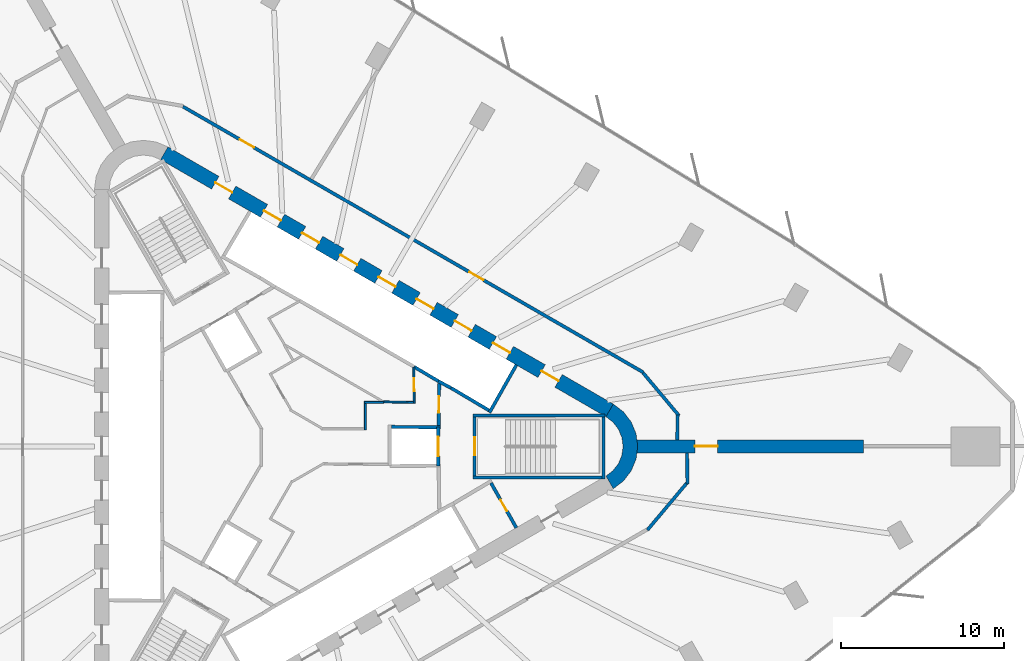
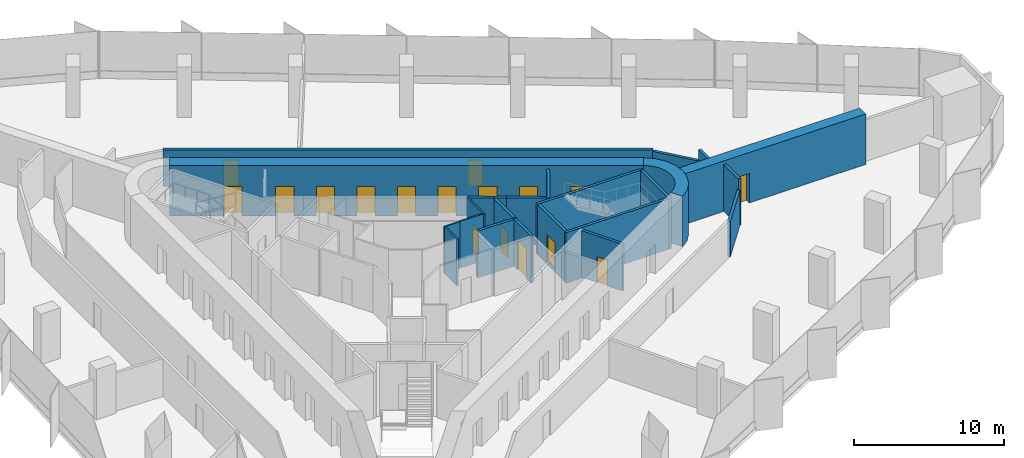
# One storey, part 11 of 13: 24 walls, 17 doors, 17 openings.
"""IFC4 building model written with IfcOpenShell, lengths in metres."""

from ifc_helpers import new_model, si_unit, direction, frame, frame_2d, origin, place, context, subcontext, project, spatial, polyline, rectangle, outline, extrude, material, layer, layer_set, type_object, element, fill, save


model = new_model("IFC4")

# Units and contexts
model_context = context("Model", 3, precision=1e-05, world=origin(), true_north=direction((0.0, 1.0)))
body_context = subcontext(model_context, "Body", "Model", "MODEL_VIEW")
ifc_project = project(units=[si_unit("LENGTHUNIT", "METRE"), si_unit("AREAUNIT", "SQUARE_METRE"), si_unit("VOLUMEUNIT", "CUBIC_METRE"), si_unit("PLANEANGLEUNIT", "RADIAN"), si_unit("MASSUNIT", "GRAM", prefix="KILO")], contexts=[model_context])

# Site, building, storey
site_placement = place(None, origin())
site = spatial("IfcSite", under=ifc_project, at=site_placement, CompositionType="ELEMENT")
building_placement = place(site_placement, origin())
building = spatial("IfcBuilding", under=site, at=building_placement, Name="Tanit Gate Tower", CompositionType="ELEMENT")
storey_placement = place(building_placement, frame((0.0, 0.0, 66.0)))
storey = spatial("IfcBuildingStorey", under=building, at=storey_placement, Name="L12", CompositionType="ELEMENT", Elevation=66.0)

# Wall, opening, door
ifc_material_1 = material(Name="Concrete C60/75", Category="concrete")
ifc_layer_1 = layer(ifc_material_1, 0.800048828125)
ifc_layer_set_1 = layer_set([ifc_layer_1], Name="BUTTRESS FIN 800 C60/75")
wall_type_1 = type_object("IfcWallType", Name="BUTTRESS FIN 800 C60/75", PredefinedType="SHEAR", material=ifc_layer_set_1)
wall_1_placement = place(storey_placement, frame((21.14990234375, 0.0, 0.0), z_axis=(0.0, 0.0, 1.0), x_axis=(1.0, 0.0, 0.0)))
wall_1 = element("IfcWall", 1, at=wall_1_placement, inside=storey, type_object=wall_type_1, Name="BUTTRESS FIN", PredefinedType="SHEAR", context=body_context, shape_type="SweptSolid", body=[
    extrude(rectangle(XDim=13.884033203125, YDim=0.800048828125, at=frame_2d((6.94189453125, 0.0))), origin(), (0.0, 0.0, 1.0), 4.10009765625),
])
opening_1_placement = place(wall_1_placement, frame((3.550048828125, 0.0, 0.0)))
opening_1 = element("IfcOpeningElement", 2, at=opening_1_placement, cuts=wall_1, Name="Opening P14-S01-F-E-1", PredefinedType="OPENING", context=body_context, shape_type="SweptSolid", body=[
    extrude(rectangle(XDim=1.39990234375, YDim=2.39990234375, at=frame_2d((0.699951171875, 1.199951171875))), frame((0.0, 0.41015625, 0.0), z_axis=(0.0, -1.0, 0.0), x_axis=(1.0, 0.0, 0.0)), (0.0, 0.0, 1.0), 0.820068359375),
])
ifc_material_2 = material(Name="Timber door leaf", Category="wood")
door_type_1 = type_object("IfcDoorType", Name="INT-DOOR-FIN-PAIR-1400", OperationType="NOTDEFINED", PredefinedType="NOTDEFINED", material=ifc_material_2)
door_1_placement = place(opening_1_placement, origin())
door_1 = element("IfcDoor", 3, at=door_1_placement, inside=storey, type_object=door_type_1, Name="Door P14-S01-F-E-1", OperationType="DOUBLE_DOOR_SINGLE_SWING", OverallHeight=2.39990234375, OverallWidth=1.39990234375, PredefinedType="NOTDEFINED", context=body_context, shape_type="SweptSolid", body=[
    extrude(rectangle(XDim=1.39990234375, YDim=2.39990234375, at=frame_2d((0.699951171875, 1.199951171875))), frame((0.0, 0.02490234375, 0.0), z_axis=(0.0, -1.0, 0.0), x_axis=(1.0, 0.0, 0.0)), (0.0, 0.0, 1.0), 0.050048828125),
])
fill(opening_1, door_1)

# Wall, openings, doors
ifc_material_3 = material(Name="Concrete C60/75", Category="concrete")
ifc_layer_2 = layer(ifc_material_3, 0.89990234375)
ifc_layer_set_2 = layer_set([ifc_layer_2], Name="CORE WALL 900 C60/75")
wall_type_2 = type_object("IfcWallType", Name="CORE WALL 900 C60/75", PredefinedType="SHEAR", material=ifc_layer_set_2)
wall_2_placement = place(storey_placement, frame((19.47509765625, 2.20849609375, 0.0), z_axis=(0.0, 0.0, 1.0), x_axis=(-0.866028369851, 0.499994862586, 0.0)))
wall_2 = element("IfcWall", 4, at=wall_2_placement, inside=storey, type_object=wall_type_2, Name="CORE WALL", PredefinedType="SHEAR", context=body_context, shape_type="SweptSolid", body=[
    extrude(rectangle(XDim=31.523193359375, YDim=0.89990234375, at=frame_2d((15.76171875, 0.0))), origin(), (0.0, 0.0, 1.0), 4.10009765625),
])
opening_2_placement = place(wall_2_placement, frame((7.0615234375, 0.0, 0.0)))
opening_2 = element("IfcOpeningElement", 5, at=opening_2_placement, cuts=wall_2, Name="Opening LDLL8-S01", PredefinedType="OPENING", context=body_context, shape_type="SweptSolid", body=[
    extrude(rectangle(XDim=1.199951171875, YDim=2.39990234375, at=frame_2d((0.60009765625, 1.199951171875))), frame((0.0, 0.4599609375, 0.0), z_axis=(0.0, -1.0, 0.0), x_axis=(1.0, 0.0, 0.0)), (0.0, 0.0, 1.0), 0.919921875),
])
opening_3_placement = place(wall_2_placement, frame((9.76171875, 0.0, 0.0)))
opening_3 = element("IfcOpeningElement", 6, at=opening_3_placement, cuts=wall_2, Name="Opening LDLL9-S01", PredefinedType="OPENING", context=body_context, shape_type="SweptSolid", body=[
    extrude(rectangle(XDim=1.199951171875, YDim=2.39990234375, at=frame_2d((0.60009765625, 1.199951171875))), frame((0.0, 0.4599609375, 0.0), z_axis=(0.0, -1.0, 0.0), x_axis=(1.0, 0.0, 0.0)), (0.0, 0.0, 1.0), 0.919921875),
])
opening_4_placement = place(wall_2_placement, frame((12.461669921875, 0.0, 0.0)))
opening_4 = element("IfcOpeningElement", 7, at=opening_4_placement, cuts=wall_2, Name="Opening LDLL10-S01", PredefinedType="OPENING", context=body_context, shape_type="SweptSolid", body=[
    extrude(rectangle(XDim=1.199951171875, YDim=2.39990234375, at=frame_2d((0.60009765625, 1.199951171875))), frame((0.0, 0.4599609375, 0.0), z_axis=(0.0, -1.0, 0.0), x_axis=(1.0, 0.0, 0.0)), (0.0, 0.0, 1.0), 0.919921875),
])
opening_5_placement = place(wall_2_placement, frame((15.16162109375, 0.0, 0.0)))
opening_5 = element("IfcOpeningElement", 8, at=opening_5_placement, cuts=wall_2, Name="Opening LDSL1-S01", PredefinedType="OPENING", context=body_context, shape_type="SweptSolid", body=[
    extrude(rectangle(XDim=1.199951171875, YDim=2.39990234375, at=frame_2d((0.60009765625, 1.199951171875))), frame((0.0, 0.4599609375, 0.0), z_axis=(0.0, -1.0, 0.0), x_axis=(1.0, 0.0, 0.0)), (0.0, 0.0, 1.0), 0.919921875),
])
opening_6_placement = place(wall_2_placement, frame((17.861572265625, 0.0, 0.0)))
opening_6 = element("IfcOpeningElement", 9, at=opening_6_placement, cuts=wall_2, Name="Opening LDSL2-S01", PredefinedType="OPENING", context=body_context, shape_type="SweptSolid", body=[
    extrude(rectangle(XDim=1.199951171875, YDim=2.39990234375, at=frame_2d((0.60009765625, 1.199951171875))), frame((0.0, 0.4599609375, 0.0), z_axis=(0.0, -1.0, 0.0), x_axis=(1.0, 0.0, 0.0)), (0.0, 0.0, 1.0), 0.919921875),
])
opening_7_placement = place(wall_2_placement, frame((20.5615234375, 0.0, 0.0)))
opening_7 = element("IfcOpeningElement", 10, at=opening_7_placement, cuts=wall_2, Name="Opening LDSL3-S01", PredefinedType="OPENING", context=body_context, shape_type="SweptSolid", body=[
    extrude(rectangle(XDim=1.199951171875, YDim=2.39990234375, at=frame_2d((0.60009765625, 1.199951171875))), frame((0.0, 0.4599609375, 0.0), z_axis=(0.0, -1.0, 0.0), x_axis=(1.0, 0.0, 0.0)), (0.0, 0.0, 1.0), 0.919921875),
])
opening_8_placement = place(wall_2_placement, frame((23.26171875, 0.0, 0.0)))
opening_8 = element("IfcOpeningElement", 11, at=opening_8_placement, cuts=wall_2, Name="Opening LDSL4-S01", PredefinedType="OPENING", context=body_context, shape_type="SweptSolid", body=[
    extrude(rectangle(XDim=1.199951171875, YDim=2.39990234375, at=frame_2d((0.60009765625, 1.199951171875))), frame((0.0, 0.4599609375, 0.0), z_axis=(0.0, -1.0, 0.0), x_axis=(1.0, 0.0, 0.0)), (0.0, 0.0, 1.0), 0.919921875),
])
opening_9_placement = place(wall_2_placement, frame((3.611572265625, 0.0, 0.0)))
opening_9 = element("IfcOpeningElement", 12, at=opening_9_placement, cuts=wall_2, Name="Opening F12-S01-FL1", PredefinedType="OPENING", context=body_context, shape_type="SweptSolid", body=[
    extrude(rectangle(XDim=1.199951171875, YDim=2.39990234375, at=frame_2d((0.60009765625, 1.199951171875))), frame((0.0, 0.4599609375, 0.0), z_axis=(0.0, -1.0, 0.0), x_axis=(1.0, 0.0, 0.0)), (0.0, 0.0, 1.0), 0.919921875),
])
opening_10_placement = place(wall_2_placement, frame((26.711669921875, 0.0, 0.0)))
opening_10 = element("IfcOpeningElement", 13, at=opening_10_placement, cuts=wall_2, Name="Opening F12-S01-S2", PredefinedType="OPENING", context=body_context, shape_type="SweptSolid", body=[
    extrude(rectangle(XDim=1.199951171875, YDim=2.39990234375, at=frame_2d((0.60009765625, 1.199951171875))), frame((0.0, 0.4599609375, 0.0), z_axis=(0.0, -1.0, 0.0), x_axis=(1.0, 0.0, 0.0)), (0.0, 0.0, 1.0), 0.919921875),
])
ifc_material_4 = material(Name="Fire-rated steel door leaf", Category="steel")
door_type_2 = type_object("IfcDoorType", Name="INT-DOOR-FIRE-LOBBY-1200", OperationType="NOTDEFINED", PredefinedType="USERDEFINED", material=ifc_material_4)
door_2_placement = place(opening_9_placement, origin())
door_2 = element("IfcDoor", 14, at=door_2_placement, inside=storey, type_object=door_type_2, Name="Door F12-S01-FL1", ObjectType="FIRE DOOR", OperationType="SINGLE_SWING_RIGHT", OverallHeight=2.39990234375, OverallWidth=1.199951171875, PredefinedType="USERDEFINED", context=body_context, shape_type="SweptSolid", body=[
    extrude(rectangle(XDim=1.199951171875, YDim=2.39990234375, at=frame_2d((0.60009765625, 1.199951171875))), frame((0.0, 0.02490234375, 0.0), z_axis=(0.0, -1.0, 0.0), x_axis=(1.0, 0.0, 0.0)), (0.0, 0.0, 1.0), 0.050048828125),
])
fill(opening_9, door_2)
door_3_placement = place(opening_10_placement, origin())
door_3 = element("IfcDoor", 15, at=door_3_placement, inside=storey, type_object=door_type_2, Name="Door F12-S01-S2", ObjectType="FIRE DOOR", OperationType="SINGLE_SWING_RIGHT", OverallHeight=2.39990234375, OverallWidth=1.199951171875, PredefinedType="USERDEFINED", context=body_context, shape_type="SweptSolid", body=[
    extrude(rectangle(XDim=1.199951171875, YDim=2.39990234375, at=frame_2d((0.60009765625, 1.199951171875))), frame((0.0, 0.02490234375, 0.0), z_axis=(0.0, -1.0, 0.0), x_axis=(1.0, 0.0, 0.0)), (0.0, 0.0, 1.0), 0.050048828125),
])
fill(opening_10, door_3)
ifc_material_5 = material(Name="Stainless steel sliding door leaf", Category="steel")
door_type_3 = type_object("IfcDoorType", Name="INT-DOOR-LANDING-1200", OperationType="NOTDEFINED", PredefinedType="USERDEFINED", material=ifc_material_5)
door_4_placement = place(opening_2_placement, origin())
door_4 = element("IfcDoor", 16, at=door_4_placement, inside=storey, type_object=door_type_3, Name="Door LDLL8-S01", ObjectType="LANDING DOOR", OperationType="SLIDING_TO_LEFT", OverallHeight=2.39990234375, OverallWidth=1.199951171875, PredefinedType="USERDEFINED", context=body_context, shape_type="SweptSolid", body=[
    extrude(rectangle(XDim=1.199951171875, YDim=2.39990234375, at=frame_2d((0.60009765625, 1.199951171875))), frame((0.0, 0.02490234375, 0.0), z_axis=(0.0, -1.0, 0.0), x_axis=(1.0, 0.0, 0.0)), (0.0, 0.0, 1.0), 0.050048828125),
])
fill(opening_2, door_4)
door_5_placement = place(opening_3_placement, origin())
door_5 = element("IfcDoor", 17, at=door_5_placement, inside=storey, type_object=door_type_3, Name="Door LDLL9-S01", ObjectType="LANDING DOOR", OperationType="SLIDING_TO_LEFT", OverallHeight=2.39990234375, OverallWidth=1.199951171875, PredefinedType="USERDEFINED", context=body_context, shape_type="SweptSolid", body=[
    extrude(rectangle(XDim=1.199951171875, YDim=2.39990234375, at=frame_2d((0.60009765625, 1.199951171875))), frame((0.0, 0.02490234375, 0.0), z_axis=(0.0, -1.0, 0.0), x_axis=(1.0, 0.0, 0.0)), (0.0, 0.0, 1.0), 0.050048828125),
])
fill(opening_3, door_5)
door_6_placement = place(opening_4_placement, origin())
door_6 = element("IfcDoor", 18, at=door_6_placement, inside=storey, type_object=door_type_3, Name="Door LDLL10-S01", ObjectType="LANDING DOOR", OperationType="SLIDING_TO_LEFT", OverallHeight=2.39990234375, OverallWidth=1.199951171875, PredefinedType="USERDEFINED", context=body_context, shape_type="SweptSolid", body=[
    extrude(rectangle(XDim=1.199951171875, YDim=2.39990234375, at=frame_2d((0.60009765625, 1.199951171875))), frame((0.0, 0.02490234375, 0.0), z_axis=(0.0, -1.0, 0.0), x_axis=(1.0, 0.0, 0.0)), (0.0, 0.0, 1.0), 0.050048828125),
])
fill(opening_4, door_6)
door_7_placement = place(opening_5_placement, origin())
door_7 = element("IfcDoor", 19, at=door_7_placement, inside=storey, type_object=door_type_3, Name="Door LDSL1-S01", ObjectType="LANDING DOOR", OperationType="SLIDING_TO_LEFT", OverallHeight=2.39990234375, OverallWidth=1.199951171875, PredefinedType="USERDEFINED", context=body_context, shape_type="SweptSolid", body=[
    extrude(rectangle(XDim=1.199951171875, YDim=2.39990234375, at=frame_2d((0.60009765625, 1.199951171875))), frame((0.0, 0.02490234375, 0.0), z_axis=(0.0, -1.0, 0.0), x_axis=(1.0, 0.0, 0.0)), (0.0, 0.0, 1.0), 0.050048828125),
])
fill(opening_5, door_7)
door_8_placement = place(opening_6_placement, origin())
door_8 = element("IfcDoor", 20, at=door_8_placement, inside=storey, type_object=door_type_3, Name="Door LDSL2-S01", ObjectType="LANDING DOOR", OperationType="SLIDING_TO_LEFT", OverallHeight=2.39990234375, OverallWidth=1.199951171875, PredefinedType="USERDEFINED", context=body_context, shape_type="SweptSolid", body=[
    extrude(rectangle(XDim=1.199951171875, YDim=2.39990234375, at=frame_2d((0.60009765625, 1.199951171875))), frame((0.0, 0.02490234375, 0.0), z_axis=(0.0, -1.0, 0.0), x_axis=(1.0, 0.0, 0.0)), (0.0, 0.0, 1.0), 0.050048828125),
])
fill(opening_6, door_8)
door_9_placement = place(opening_7_placement, origin())
door_9 = element("IfcDoor", 21, at=door_9_placement, inside=storey, type_object=door_type_3, Name="Door LDSL3-S01", ObjectType="LANDING DOOR", OperationType="SLIDING_TO_LEFT", OverallHeight=2.39990234375, OverallWidth=1.199951171875, PredefinedType="USERDEFINED", context=body_context, shape_type="SweptSolid", body=[
    extrude(rectangle(XDim=1.199951171875, YDim=2.39990234375, at=frame_2d((0.60009765625, 1.199951171875))), frame((0.0, 0.02490234375, 0.0), z_axis=(0.0, -1.0, 0.0), x_axis=(1.0, 0.0, 0.0)), (0.0, 0.0, 1.0), 0.050048828125),
])
fill(opening_7, door_9)
door_10_placement = place(opening_8_placement, origin())
door_10 = element("IfcDoor", 22, at=door_10_placement, inside=storey, type_object=door_type_3, Name="Door LDSL4-S01", ObjectType="LANDING DOOR", OperationType="SLIDING_TO_LEFT", OverallHeight=2.39990234375, OverallWidth=1.199951171875, PredefinedType="USERDEFINED", context=body_context, shape_type="SweptSolid", body=[
    extrude(rectangle(XDim=1.199951171875, YDim=2.39990234375, at=frame_2d((0.60009765625, 1.199951171875))), frame((0.0, 0.02490234375, 0.0), z_axis=(0.0, -1.0, 0.0), x_axis=(1.0, 0.0, 0.0)), (0.0, 0.0, 1.0), 0.050048828125),
])
fill(opening_8, door_10)

# Wall
wall_3_placement = place(storey_placement, origin())
element("IfcWall", 23, at=wall_3_placement, inside=storey, type_object=wall_type_2, Name="CORE WALL CORNER", PredefinedType="SHEAR", context=body_context, shape_type="SweptSolid", body=[
    extrude(outline(polyline([(19.699951171875, -2.59814453125), (20.3212890625, -2.121337890625), (20.798095703125, -1.5), (21.097900390625, -0.776611328125), (21.199951171875, 0.0), (21.097900390625, 0.776611328125), (20.798095703125, 1.5), (20.3212890625, 2.121337890625), (19.699951171875, 2.59814453125), (19.25, 1.818603515625), (19.684814453125, 1.48486328125), (20.018798828125, 1.050048828125), (20.228515625, 0.54345703125), (20.300048828125, 0.0), (20.228515625, -0.54345703125), (20.018798828125, -1.050048828125), (19.684814453125, -1.48486328125), (19.25, -1.818603515625), (19.699951171875, -2.59814453125)])), origin(), (0.0, 0.0, 1.0), 4.10009765625),
])

# Wall, opening, door
ifc_material_6 = material(Name="Fire-rated gypsum board partition")
ifc_layer_3 = layer(ifc_material_6, 0.199951171875)
ifc_layer_set_3 = layer_set([ifc_layer_3], Name="INT-WALL-COMPARTMENT")
wall_type_3 = type_object("IfcWallType", Name="INT-WALL-COMPARTMENT", PredefinedType="PARTITIONING", material=ifc_layer_set_3)
wall_4_placement = place(storey_placement, frame((13.758056640625, -4.989501953125, 0.0), z_axis=(0.0, 0.0, 1.0), x_axis=(-0.491993409184, 0.87059892334, 0.0)))
wall_4 = element("IfcWall", 24, at=wall_4_placement, inside=storey, type_object=wall_type_3, Name="Wall Compartment W058", PredefinedType="PARTITIONING", context=body_context, shape_type="SweptSolid", body=[
    extrude(rectangle(XDim=3.150146484375, YDim=0.199951171875, at=frame_2d((1.5751953125, 0.0))), origin(), (0.0, 0.0, 1.0), 3.800048828125),
])
opening_11_placement = place(wall_4_placement, frame((1.175048828125, 0.0, 0.0)))
opening_11 = element("IfcOpeningElement", 25, at=opening_11_placement, cuts=wall_4, Name="Opening R08-S01-14", PredefinedType="OPENING", context=body_context, shape_type="SweptSolid", body=[
    extrude(rectangle(XDim=0.800048828125, YDim=2.10009765625, at=frame_2d((0.39990234375, 1.050048828125))), frame((0.0, 0.10986328125, 0.0), z_axis=(0.0, -1.0, 0.0), x_axis=(1.0, 0.0, 0.0)), (0.0, 0.0, 1.0), 0.219970703125),
])
ifc_material_7 = material(Name="Timber door leaf", Category="wood")
door_type_4 = type_object("IfcDoorType", Name="INT-DOOR-RISER-800", OperationType="NOTDEFINED", PredefinedType="USERDEFINED", material=ifc_material_7)
door_11_placement = place(opening_11_placement, origin())
door_11 = element("IfcDoor", 26, at=door_11_placement, inside=storey, type_object=door_type_4, Name="Door R08-S01-14", ObjectType="FIRE DOOR", OperationType="SINGLE_SWING_LEFT", OverallHeight=2.10009765625, OverallWidth=0.800048828125, PredefinedType="USERDEFINED", context=body_context, shape_type="SweptSolid", body=[
    extrude(rectangle(XDim=0.800048828125, YDim=2.10009765625, at=frame_2d((0.39990234375, 1.050048828125))), frame((0.0, 0.02490234375, 0.0), z_axis=(0.0, -1.0, 0.0), x_axis=(1.0, 0.0, 0.0)), (0.0, 0.0, 1.0), 0.050048828125),
])
fill(opening_11, door_11)

wall_5_placement = place(storey_placement, frame((9.0009765625, 1.27001953125, 0.0), z_axis=(0.0, 0.0, 1.0), x_axis=(0.010783593937, 0.99994185536, 0.0)))
wall_5 = element("IfcWall", 27, at=wall_5_placement, inside=storey, type_object=wall_type_3, Name="Wall Compartment W060", PredefinedType="PARTITIONING", context=body_context, shape_type="SweptSolid", body=[
    extrude(rectangle(XDim=2.5810546875, YDim=0.199951171875, at=frame_2d((1.29052734375, 0.0))), origin(), (0.0, 0.0, 1.0), 3.800048828125),
])
opening_12_placement = place(wall_5_placement, frame((0.79052734375, 0.0, 0.0)))
opening_12 = element("IfcOpeningElement", 28, at=opening_12_placement, cuts=wall_5, Name="Opening F10-S01-02", PredefinedType="OPENING", context=body_context, shape_type="SweptSolid", body=[
    extrude(rectangle(XDim=1.0, YDim=2.10009765625, at=frame_2d((0.5, 1.050048828125))), frame((0.0, 0.10986328125, 0.0), z_axis=(0.0, -1.0, 0.0), x_axis=(1.0, 0.0, 0.0)), (0.0, 0.0, 1.0), 0.219970703125),
])
ifc_material_8 = material(Name="Fire-rated steel door leaf", Category="steel")
door_type_5 = type_object("IfcDoorType", Name="INT-DOOR-FIRE-1000", OperationType="NOTDEFINED", PredefinedType="USERDEFINED", material=ifc_material_8)
door_12_placement = place(opening_12_placement, origin())
door_12 = element("IfcDoor", 29, at=door_12_placement, inside=storey, type_object=door_type_5, Name="Door F10-S01-02", ObjectType="FIRE DOOR", OperationType="SINGLE_SWING_LEFT", OverallHeight=2.10009765625, OverallWidth=1.0, PredefinedType="USERDEFINED", context=body_context, shape_type="SweptSolid", body=[
    extrude(rectangle(XDim=1.0, YDim=2.10009765625, at=frame_2d((0.5, 1.050048828125))), frame((0.0, 0.02490234375, 0.0), z_axis=(0.0, -1.0, 0.0), x_axis=(1.0, 0.0, 0.0)), (0.0, 0.0, 1.0), 0.050048828125),
])
fill(opening_12, door_12)

# Wall, openings, doors
wall_6_placement = place(storey_placement, frame((21.55224609375, 4.53076171875, 0.0), z_axis=(0.0, 0.0, 1.0), x_axis=(-0.866023703603, 0.500002944789, 0.0)))
wall_6 = element("IfcWall", 30, at=wall_6_placement, inside=storey, type_object=wall_type_3, Name="Wall Compartment W104", PredefinedType="PARTITIONING", context=body_context, shape_type="SweptSolid", body=[
    extrude(rectangle(XDim=32.598876953125, YDim=0.199951171875, at=frame_2d((16.29931640625, 0.0))), origin(), (0.0, 0.0, 1.0), 2.97998046875),
])
opening_13_placement = place(wall_6_placement, frame((27.5791015625, 0.0, 0.0)))
opening_13 = element("IfcOpeningElement", 31, at=opening_13_placement, cuts=wall_6, Name="Opening F10-S01-22", PredefinedType="OPENING", context=body_context, shape_type="SweptSolid", body=[
    extrude(rectangle(XDim=1.0, YDim=2.10009765625, at=frame_2d((0.5, 1.050048828125))), frame((0.0, 0.10986328125, 0.0), z_axis=(0.0, -1.0, 0.0), x_axis=(1.0, 0.0, 0.0)), (0.0, 0.0, 1.0), 0.219970703125),
])
opening_14_placement = place(wall_6_placement, frame((11.32958984375, 0.0, 0.0)))
opening_14 = element("IfcOpeningElement", 32, at=opening_14_placement, cuts=wall_6, Name="Opening F10-S01-23", PredefinedType="OPENING", context=body_context, shape_type="SweptSolid", body=[
    extrude(rectangle(XDim=1.0, YDim=2.10009765625, at=frame_2d((0.5, 1.050048828125))), frame((0.0, 0.10986328125, 0.0), z_axis=(0.0, -1.0, 0.0), x_axis=(1.0, 0.0, 0.0)), (0.0, 0.0, 1.0), 0.219970703125),
])
door_13_placement = place(opening_13_placement, origin())
door_13 = element("IfcDoor", 33, at=door_13_placement, inside=storey, type_object=door_type_5, Name="Door F10-S01-22", ObjectType="FIRE DOOR", OperationType="SINGLE_SWING_RIGHT", OverallHeight=2.10009765625, OverallWidth=1.0, PredefinedType="USERDEFINED", context=body_context, shape_type="SweptSolid", body=[
    extrude(rectangle(XDim=1.0, YDim=2.10009765625, at=frame_2d((0.5, 1.050048828125))), frame((0.0, 0.02490234375, 0.0), z_axis=(0.0, -1.0, 0.0), x_axis=(1.0, 0.0, 0.0)), (0.0, 0.0, 1.0), 0.050048828125),
])
fill(opening_13, door_13)
door_14_placement = place(opening_14_placement, origin())
door_14 = element("IfcDoor", 34, at=door_14_placement, inside=storey, type_object=door_type_5, Name="Door F10-S01-23", ObjectType="FIRE DOOR", OperationType="SINGLE_SWING_RIGHT", OverallHeight=2.10009765625, OverallWidth=1.0, PredefinedType="USERDEFINED", context=body_context, shape_type="SweptSolid", body=[
    extrude(rectangle(XDim=1.0, YDim=2.10009765625, at=frame_2d((0.5, 1.050048828125))), frame((0.0, 0.02490234375, 0.0), z_axis=(0.0, -1.0, 0.0), x_axis=(1.0, 0.0, 0.0)), (0.0, 0.0, 1.0), 0.050048828125),
])
fill(opening_14, door_14)

# Walls
wall_7_placement = place(storey_placement, frame((23.720458984375, 1.893798828125, 0.0), z_axis=(0.0, 0.0, 1.0), x_axis=(-0.642802187783, 0.766032210407, 0.0)))
element("IfcWall", 35, at=wall_7_placement, inside=storey, type_object=wall_type_3, Name="Wall Compartment W105", PredefinedType="PARTITIONING", context=body_context, shape_type="SweptSolid", body=[
    extrude(rectangle(XDim=3.40771484375, YDim=0.199951171875, at=frame_2d((1.703857421875, 0.0))), origin(), (0.0, 0.0, 1.0), 2.8798828125),
])
wall_8_placement = place(storey_placement, frame((23.622314453125, 0.39990234375, 0.0), z_axis=(0.0, 0.0, 1.0), x_axis=(0.015125657972, 0.999885600692, 0.0)))
element("IfcWall", 36, at=wall_8_placement, inside=storey, type_object=wall_type_3, Name="Wall Compartment W106", PredefinedType="PARTITIONING", context=body_context, shape_type="SweptSolid", body=[
    extrude(rectangle(XDim=1.533447265625, YDim=0.199951171875, at=frame_2d((0.7666015625, 0.0))), origin(), (0.0, 0.0, 1.0), 3.800048828125),
])
wall_9_placement = place(storey_placement, frame((24.247802734375, -2.316650390625, 0.0), z_axis=(0.0, 0.0, 1.0), x_axis=(-0.013627571522, 0.999907140336, 0.0)))
element("IfcWall", 37, at=wall_9_placement, inside=storey, type_object=wall_type_3, Name="Wall Compartment W107", PredefinedType="PARTITIONING", context=body_context, shape_type="SweptSolid", body=[
    extrude(rectangle(XDim=1.9169921875, YDim=0.199951171875, at=frame_2d((0.95849609375, 0.0))), origin(), (0.0, 0.0, 1.0), 3.800048828125),
])
wall_10_placement = place(storey_placement, frame((21.79296875, -5.124267578125, 0.0), z_axis=(0.0, 0.0, 1.0), x_axis=(0.642787733653, 0.766044339098, 0.0)))
element("IfcWall", 38, at=wall_10_placement, inside=storey, type_object=wall_type_3, Name="Wall Compartment W108", PredefinedType="PARTITIONING", context=body_context, shape_type="SweptSolid", body=[
    extrude(rectangle(XDim=3.767333984375, YDim=0.199951171875, at=frame_2d((1.8837890625, 0.0))), origin(), (0.0, 0.0, 1.0), 2.8798828125),
])

# Wall, opening, door
ifc_material_9 = material(Name="Gypsum board partition")
ifc_layer_4 = layer(ifc_material_9, 0.1201171875)
ifc_layer_set_4 = layer_set([ifc_layer_4], Name="INT-WALL-PARTITION")
wall_type_4 = type_object("IfcWallType", Name="INT-WALL-PARTITION", PredefinedType="PARTITIONING", material=ifc_layer_set_4)
wall_11_placement = place(storey_placement, frame((7.500732421875, 2.639892578125, 0.0), z_axis=(0.0, 0.0, 1.0), x_axis=(-0.01174194727, 0.999931060961, 0.0)))
wall_11 = element("IfcWall", 39, at=wall_11_placement, inside=storey, type_object=wall_type_4, Name="Wall Partition W077", PredefinedType="PARTITIONING", context=body_context, shape_type="SweptSolid", body=[
    extrude(rectangle(XDim=2.224853515625, YDim=0.1201171875, at=frame_2d((1.1123046875, 0.0))), origin(), (0.0, 0.0, 1.0), 3.800048828125),
])
opening_15_placement = place(wall_11_placement, frame((0.7421875, 0.0, 0.0)))
opening_15 = element("IfcOpeningElement", 40, at=opening_15_placement, cuts=wall_11, Name="Opening R08-S01-12", PredefinedType="OPENING", context=body_context, shape_type="SweptSolid", body=[
    extrude(rectangle(XDim=0.800048828125, YDim=2.10009765625, at=frame_2d((0.39990234375, 1.050048828125))), frame((0.0, 0.070068359375, 0.0), z_axis=(0.0, -1.0, 0.0), x_axis=(1.0, 0.0, 0.0)), (0.0, 0.0, 1.0), 0.14013671875),
])
door_15_placement = place(opening_15_placement, origin())
door_15 = element("IfcDoor", 41, at=door_15_placement, inside=storey, type_object=door_type_4, Name="Door R08-S01-12", ObjectType="FIRE DOOR", OperationType="SINGLE_SWING_LEFT", OverallHeight=2.10009765625, OverallWidth=0.800048828125, PredefinedType="USERDEFINED", context=body_context, shape_type="SweptSolid", body=[
    extrude(rectangle(XDim=0.800048828125, YDim=2.10009765625, at=frame_2d((0.39990234375, 1.050048828125))), frame((0.0, 0.02490234375, 0.0), z_axis=(0.0, -1.0, 0.0), x_axis=(1.0, 0.0, 0.0)), (0.0, 0.0, 1.0), 0.050048828125),
])
fill(opening_15, door_15)

# Walls
wall_12_placement = place(storey_placement, frame((5.616943359375, 2.72900390625, 0.0), z_axis=(0.0, 0.0, 1.0), x_axis=(0.999881424181, -0.015399271967, 0.0)))
element("IfcWall", 42, at=wall_12_placement, inside=storey, type_object=wall_type_4, Name="Wall Partition W078", PredefinedType="PARTITIONING", context=body_context, shape_type="SweptSolid", body=[
    extrude(rectangle(XDim=1.8232421875, YDim=0.1201171875, at=frame_2d((0.91162109375, 0.0))), origin(), (0.0, 0.0, 1.0), 3.800048828125),
])
wall_13_placement = place(storey_placement, frame((4.43994140625, 2.699951171875, 0.0), z_axis=(0.0, 0.0, 1.0), x_axis=(1.0, 0.0, 0.0)))
element("IfcWall", 43, at=wall_13_placement, inside=storey, type_object=wall_type_4, Name="Wall Partition W079", PredefinedType="PARTITIONING", context=body_context, shape_type="SweptSolid", body=[
    extrude(rectangle(XDim=1.1767578125, YDim=0.1201171875, at=frame_2d((0.58837890625, 0.0))), origin(), (0.0, 0.0, 1.0), 3.800048828125),
])
wall_14_placement = place(storey_placement, frame((4.5, 1.014892578125, 0.0), z_axis=(0.0, 0.0, 1.0), x_axis=(0.0, 1.0, 0.0)))
element("IfcWall", 44, at=wall_14_placement, inside=storey, type_object=wall_type_4, Name="Wall Partition W080", PredefinedType="PARTITIONING", context=body_context, shape_type="SweptSolid", body=[
    extrude(rectangle(XDim=1.625, YDim=0.1201171875, at=frame_2d((0.8125, 0.0))), origin(), (0.0, 0.0, 1.0), 3.800048828125),
])
ifc_material_10 = material(Name="Gypsum shaft wall system")
ifc_layer_5 = layer(ifc_material_10, 0.199951171875)
ifc_layer_set_5 = layer_set([ifc_layer_5], Name="INT-WALL-SHAFT")
wall_type_5 = type_object("IfcWallType", Name="INT-WALL-SHAFT", PredefinedType="PLUMBINGWALL", material=ifc_layer_set_5)
wall_15_placement = place(storey_placement, frame((12.10986328125, 2.07275390625, 0.0), z_axis=(0.0, 0.0, 1.0), x_axis=(0.49196600604, 0.870614408852, 0.0)))
element("IfcWall", 45, at=wall_15_placement, inside=storey, type_object=wall_type_5, Name="Wall Shaft W013", PredefinedType="PLUMBINGWALL", context=body_context, shape_type="SweptSolid", body=[
    extrude(rectangle(XDim=3.35009765625, YDim=0.199951171875, at=frame_2d((1.675048828125, 0.0))), origin(), (0.0, 0.0, 1.0), 3.800048828125),
])
wall_16_placement = place(storey_placement, frame((12.072998046875, 2.2109375, 0.0), z_axis=(0.0, 0.0, 1.0), x_axis=(-0.860438357912, 0.509554542943, 0.0)))
element("IfcWall", 46, at=wall_16_placement, inside=storey, type_object=wall_type_5, Name="Wall Shaft W014", PredefinedType="PLUMBINGWALL", context=body_context, shape_type="SweptSolid", body=[
    extrude(rectangle(XDim=2.700439453125, YDim=0.199951171875, at=frame_2d((1.35009765625, 0.0))), origin(), (0.0, 0.0, 1.0), 3.800048828125),
])
wall_17_placement = place(storey_placement, frame((9.74755859375, 3.583251953125, 0.0), z_axis=(0.0, 0.0, 1.0), x_axis=(-0.880917147855, 0.473270513147, 0.0)))
element("IfcWall", 47, at=wall_17_placement, inside=storey, type_object=wall_type_5, Name="Wall Shaft W015", PredefinedType="PLUMBINGWALL", context=body_context, shape_type="SweptSolid", body=[
    extrude(rectangle(XDim=0.8779296875, YDim=0.199951171875, at=frame_2d((0.43896484375, 0.0))), origin(), (0.0, 0.0, 1.0), 3.800048828125),
])
wall_18_placement = place(storey_placement, frame((9.07958984375, 3.93701171875, 0.0), z_axis=(0.0, 0.0, 1.0), x_axis=(-0.859981807212, 0.510324691999, 0.0)))
element("IfcWall", 48, at=wall_18_placement, inside=storey, type_object=wall_type_5, Name="Wall Shaft W016", PredefinedType="PLUMBINGWALL", context=body_context, shape_type="SweptSolid", body=[
    extrude(rectangle(XDim=1.8447265625, YDim=0.199951171875, at=frame_2d((0.92236328125, 0.0))), origin(), (0.0, 0.0, 1.0), 3.800048828125),
])

# Wall, opening, door
wall_19_placement = place(storey_placement, frame((8.969970703125, 1.199951171875, 0.0), z_axis=(0.0, 0.0, 1.0), x_axis=(0.0, -1.0, 0.0)))
wall_19 = element("IfcWall", 49, at=wall_19_placement, inside=storey, type_object=wall_type_5, Name="Wall Shaft W037", PredefinedType="PLUMBINGWALL", context=body_context, shape_type="SweptSolid", body=[
    extrude(rectangle(XDim=2.39990234375, YDim=0.199951171875, at=frame_2d((1.199951171875, 0.0))), origin(), (0.0, 0.0, 1.0), 3.800048828125),
])
opening_16_placement = place(wall_19_placement, frame((0.60009765625, 0.0, 0.0)))
opening_16 = element("IfcOpeningElement", 50, at=opening_16_placement, cuts=wall_19, Name="Opening LDFL1-L12", PredefinedType="OPENING", context=body_context, shape_type="SweptSolid", body=[
    extrude(rectangle(XDim=1.199951171875, YDim=2.39990234375, at=frame_2d((0.60009765625, 1.199951171875))), frame((0.0, 0.10986328125, 0.0), z_axis=(0.0, -1.0, 0.0), x_axis=(1.0, 0.0, 0.0)), (0.0, 0.0, 1.0), 0.219970703125),
])
door_16_placement = place(opening_16_placement, origin())
door_16 = element("IfcDoor", 51, at=door_16_placement, inside=storey, type_object=door_type_3, Name="Door LDFL1-L12", ObjectType="LANDING DOOR", OperationType="SLIDING_TO_LEFT", OverallHeight=2.39990234375, OverallWidth=1.199951171875, PredefinedType="USERDEFINED", context=body_context, shape_type="SweptSolid", body=[
    extrude(rectangle(XDim=1.199951171875, YDim=2.39990234375, at=frame_2d((0.60009765625, 1.199951171875))), frame((0.0, 0.02490234375, 0.0), z_axis=(0.0, -1.0, 0.0), x_axis=(1.0, 0.0, 0.0)), (0.0, 0.0, 1.0), 0.050048828125),
])
fill(opening_16, door_16)

# Walls
wall_20_placement = place(storey_placement, frame((9.10009765625, 1.1689453125, 0.0), z_axis=(0.0, 0.0, 1.0), x_axis=(-0.99994990606, 0.010009264196, 0.0)))
element("IfcWall", 52, at=wall_20_placement, inside=storey, type_object=wall_type_5, Name="Wall Shaft W040", PredefinedType="PLUMBINGWALL", context=body_context, shape_type="SweptSolid", body=[
    extrude(rectangle(XDim=3.000244140625, YDim=0.199951171875, at=frame_2d((1.5, 0.0))), origin(), (0.0, 0.0, 1.0), 3.800048828125),
])
ifc_material_11 = material(Name="Concrete C40/50", Category="concrete")
ifc_layer_6 = layer(ifc_material_11, 0.199951171875)
ifc_layer_set_6 = layer_set([ifc_layer_6], Name="INT-WALL-STAIR")
wall_type_6 = type_object("IfcWallType", Name="INT-WALL-STAIR", PredefinedType="SHEAR", material=ifc_layer_set_6)
wall_21_placement = place(storey_placement, frame((19.199951171875, 1.89990234375, -0.300048828125), z_axis=(0.0, 0.0, 1.0), x_axis=(-1.0, 0.0, 0.0)))
element("IfcWall", 53, at=wall_21_placement, inside=storey, type_object=wall_type_6, Name="Wall Stair W033", PredefinedType="SHEAR", context=body_context, shape_type="SweptSolid", body=[
    extrude(rectangle(XDim=8.099853515625, YDim=0.199951171875, at=frame_2d((4.0498046875, 0.0))), origin(), (0.0, 0.0, 1.0), 4.10009765625),
])
wall_22_placement = place(storey_placement, frame((19.10009765625, -2.0, -0.300048828125), z_axis=(0.0, 0.0, 1.0), x_axis=(0.0, 1.0, 0.0)))
element("IfcWall", 54, at=wall_22_placement, inside=storey, type_object=wall_type_6, Name="Wall Stair W034", PredefinedType="SHEAR", context=body_context, shape_type="SweptSolid", body=[
    extrude(rectangle(XDim=3.800048828125, YDim=0.199951171875, at=frame_2d((1.89990234375, 0.0))), origin(), (0.0, 0.0, 1.0), 4.10009765625),
])
wall_23_placement = place(storey_placement, frame((11.10009765625, -1.89990234375, -0.300048828125), z_axis=(0.0, 0.0, 1.0), x_axis=(1.0, 0.0, 0.0)))
element("IfcWall", 55, at=wall_23_placement, inside=storey, type_object=wall_type_6, Name="Wall Stair W035", PredefinedType="SHEAR", context=body_context, shape_type="SweptSolid", body=[
    extrude(rectangle(XDim=7.89990234375, YDim=0.199951171875, at=frame_2d((3.949951171875, 0.0))), origin(), (0.0, 0.0, 1.0), 4.10009765625),
])

# Wall, opening, door
wall_24_placement = place(storey_placement, frame((11.199951171875, -1.800048828125, -0.300048828125), z_axis=(0.0, 0.0, 1.0), x_axis=(0.0, 1.0, 0.0)))
wall_24 = element("IfcWall", 56, at=wall_24_placement, inside=storey, type_object=wall_type_6, Name="Wall Stair W036", PredefinedType="SHEAR", context=body_context, shape_type="SweptSolid", body=[
    extrude(rectangle(XDim=3.60009765625, YDim=0.199951171875, at=frame_2d((1.800048828125, 0.0))), origin(), (0.0, 0.0, 1.0), 4.10009765625),
])
opening_17_placement = place(wall_24_placement, frame((1.25, 0.0, 0.300048828125)))
opening_17 = element("IfcOpeningElement", 57, at=opening_17_placement, cuts=wall_24, Name="Opening S11-S01-01", PredefinedType="OPENING", context=body_context, shape_type="SweptSolid", body=[
    extrude(rectangle(XDim=1.10009765625, YDim=2.10009765625, at=frame_2d((0.550048828125, 1.050048828125))), frame((0.0, 0.10986328125, 0.0), z_axis=(0.0, -1.0, 0.0), x_axis=(1.0, 0.0, 0.0)), (0.0, 0.0, 1.0), 0.219970703125),
])
ifc_material_12 = material(Name="Timber door leaf", Category="wood")
door_type_6 = type_object("IfcDoorType", Name="INT-DOOR-STAIR-1100", OperationType="NOTDEFINED", PredefinedType="USERDEFINED", material=ifc_material_12)
door_17_placement = place(opening_17_placement, origin())
door_17 = element("IfcDoor", 58, at=door_17_placement, inside=storey, type_object=door_type_6, Name="Door S11-S01-01", ObjectType="FIRE DOOR", OperationType="SINGLE_SWING_RIGHT", OverallHeight=2.10009765625, OverallWidth=1.10009765625, PredefinedType="USERDEFINED", context=body_context, shape_type="SweptSolid", body=[
    extrude(rectangle(XDim=1.10009765625, YDim=2.10009765625, at=frame_2d((0.550048828125, 1.050048828125))), frame((0.0, 0.02490234375, 0.0), z_axis=(0.0, -1.0, 0.0), x_axis=(1.0, 0.0, 0.0)), (0.0, 0.0, 1.0), 0.050048828125),
])
fill(opening_17, door_17)

save(model, "model.ifc")
